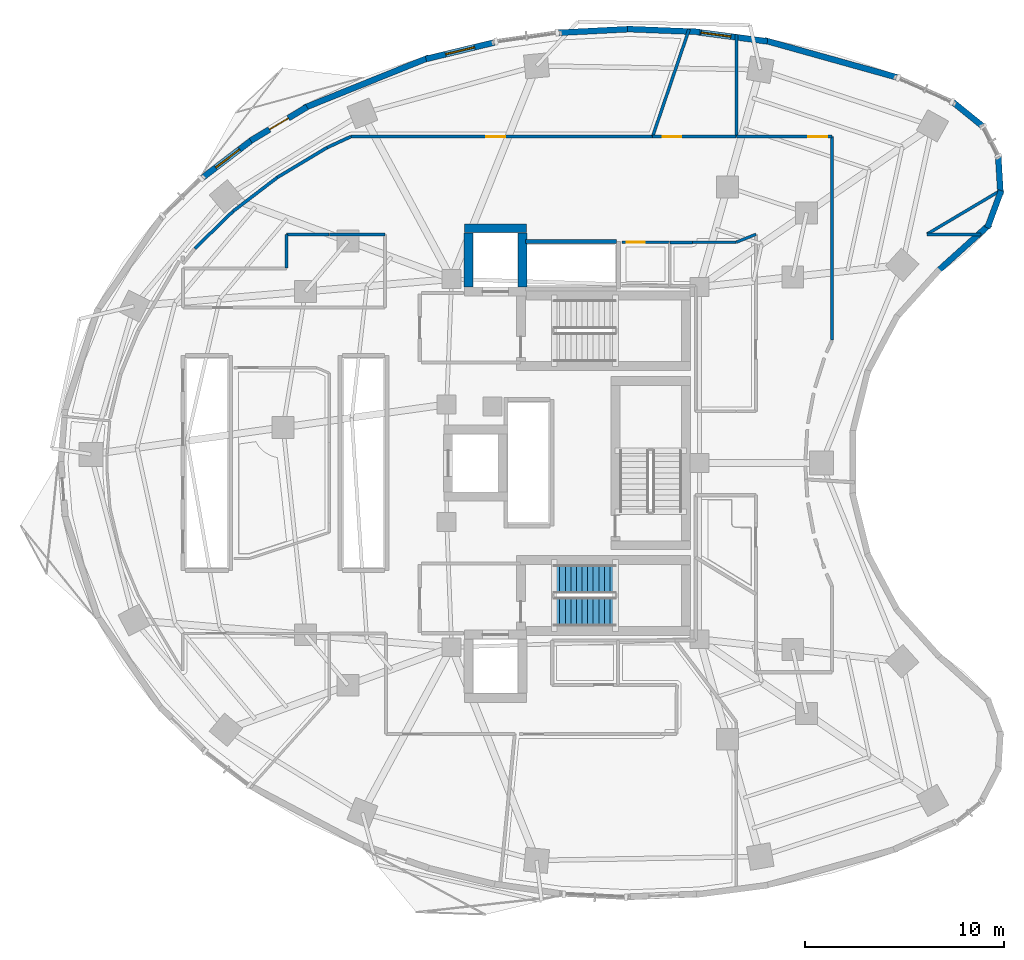
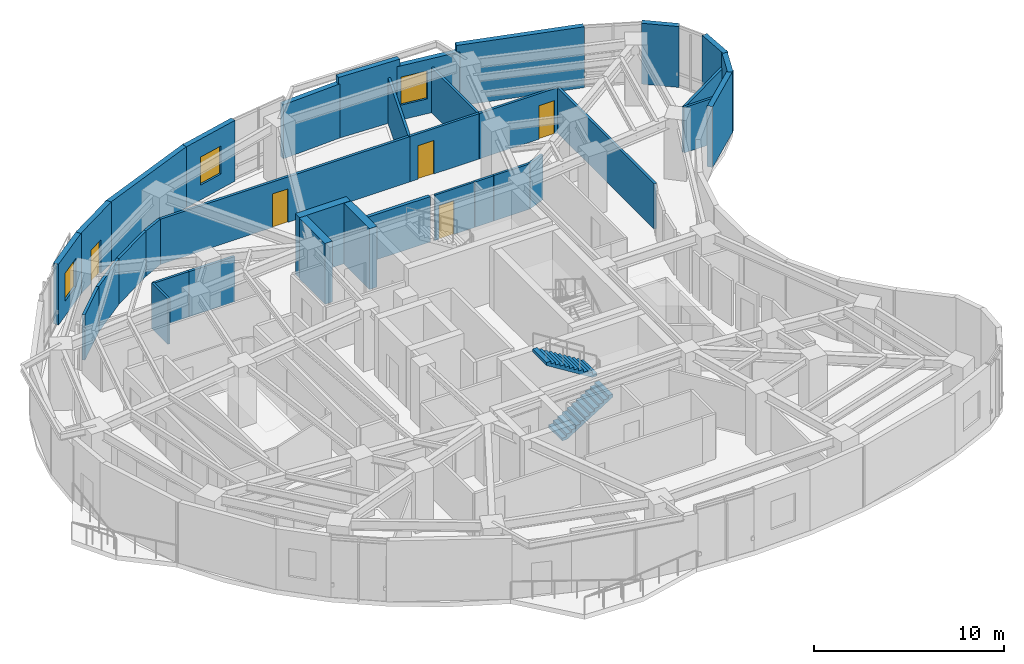
# One storey, part 10 of 14: 35 walls, 5 doors, 3 windows, 2 stair flights, 8 openings, 1 element without a shape of its own.
"""IFC4 building model written with IfcOpenShell, lengths in metres."""

import ifcopenshell
import ifcopenshell.guid

model = None  # the IFC model being written
_history = None  # IfcOwnerHistory: only IFC2X3 demands one
_inside = {}  # id of a spatial element -> (the spatial element, [elements in it])
_under = {}  # id of a project, library or spatial element -> (it, [spatial elements below it])
_declared = {}  # id of a project -> (the project, [libraries it declares])
_typed = {}  # id of a type object -> (the type object, [elements of that type])
_made_of = {}  # id of a material, layer set ... -> (it, [elements and type objects made of it])


def new_model(schema):
    """Start an empty IFC model of exactly this schema.

    Asked for "IFC4X3", IfcOpenShell would pick the latest addendum, in which some entities
    have other attributes; the version numbers below select the first issue.
    IFC2X3 requires an IfcOwnerHistory on every rooted entity: one is made here for all.
    """
    global model, _history
    if schema == "IFC4X3":
        model = ifcopenshell.file(schema_version=(4, 3, 0, 0))
    else:
        model = ifcopenshell.file(schema=schema)
    _inside.clear()
    _under.clear()
    _declared.clear()
    _typed.clear()
    _made_of.clear()
    _history = None
    if model.schema == "IFC2X3":
        org = make("IfcOrganization", Name="unknown")
        user = make(
            "IfcPersonAndOrganization",
            ThePerson=make("IfcPerson", FamilyName="unknown"),
            TheOrganization=org,
        )
        app = make(
            "IfcApplication",
            ApplicationDeveloper=org,
            Version="unknown",
            ApplicationFullName="unknown",
            ApplicationIdentifier="unknown",
        )
        _history = make(
            "IfcOwnerHistory",
            OwningUser=user,
            OwningApplication=app,
            ChangeAction="ADDED",
            CreationDate=0,
        )
    return model


def make(cls, **values):
    """One entity of the class cls with the attributes given. An attribute that is None is left unset."""
    return model.create_entity(
        cls, **{name: value for name, value in values.items() if value is not None}
    )


def rooted(cls, **values):
    """An entity with a GlobalId (a new one), such as an element, a storey or a relation."""
    return make(cls, GlobalId=ifcopenshell.guid.new(), OwnerHistory=_history, **values)


def si_unit(unit_type, name, prefix=None):
    """IfcSIUnit, for example si_unit("LENGTHUNIT", "METRE", prefix="MILLI")."""
    return make("IfcSIUnit", UnitType=unit_type, Prefix=prefix, Name=name)


def assignment(units):
    """IfcUnitAssignment: the units of a project."""
    return None if units is None else make("IfcUnitAssignment", Units=units)


def point(xyz):
    """IfcCartesianPoint."""
    return None if xyz is None else make("IfcCartesianPoint", Coordinates=xyz)


def direction(xyz):
    """IfcDirection."""
    return None if xyz is None else make("IfcDirection", DirectionRatios=xyz)


def frame(location, z_axis=None, x_axis=None):
    """IfcAxis2Placement3D, a coordinate frame: its origin and axes. An axis left out is left unset."""
    return make(
        "IfcAxis2Placement3D",
        Location=point(location),
        Axis=direction(z_axis),
        RefDirection=direction(x_axis),
    )


def frame_2d(location, x_axis=None):
    """IfcAxis2Placement2D, a coordinate frame in the plane: its origin and x axis."""
    return make(
        "IfcAxis2Placement2D", Location=point(location), RefDirection=direction(x_axis)
    )


def origin():
    """The frame at (0, 0, 0) with its axes left unset."""
    return frame((0.0, 0.0, 0.0))


def place(relative_to, where):
    """IfcLocalPlacement: puts the frame where relative to a parent placement (None: the world)."""
    return make(
        "IfcLocalPlacement", PlacementRelTo=relative_to, RelativePlacement=where
    )


def context(
    kind, dimensions, precision=None, world=None, true_north=None, identifier=None
):
    """IfcGeometricRepresentationContext, for example the 3D "Model" context."""
    return make(
        "IfcGeometricRepresentationContext",
        ContextIdentifier=identifier,
        ContextType=kind,
        CoordinateSpaceDimension=dimensions,
        Precision=precision,
        WorldCoordinateSystem=world,
        TrueNorth=true_north,
    )


def subcontext(parent, identifier, kind, view, scale=None):
    """IfcGeometricRepresentationSubContext, for example "Body" below "Model"."""
    return make(
        "IfcGeometricRepresentationSubContext",
        ContextIdentifier=identifier,
        ContextType=kind,
        ParentContext=parent,
        TargetScale=scale,
        TargetView=view,
    )


def project(units=None, contexts=None):
    """IfcProject with its units and contexts."""
    return rooted(
        "IfcProject",
        Name="project",
        RepresentationContexts=contexts,
        UnitsInContext=assignment(units),
    )


def spatial(cls, under=None, at=None, **own):
    """A site, building, storey or space (cls), placed at a placement, below another one or the project."""
    s = rooted(cls, ObjectPlacement=at, **own)
    if under is not None:
        _under.setdefault(under.id(), (under, []))[1].append(s)
    return s


def polyline(points):
    """IfcPolyline through the points."""
    return make("IfcPolyline", Points=[point(p) for p in points])


def profile(cls, at=None, kind="AREA", **sizes):
    """A parametric profile (cls). Its sizes go by their IFC names, for example OverallWidth=200.0."""
    return make(cls, ProfileType=kind, Position=at, **sizes)


def rectangle(**sizes):
    """IfcRectangleProfileDef."""
    return profile("IfcRectangleProfileDef", **sizes)


def outline(outer, holes=None, kind="AREA"):
    """IfcArbitraryClosedProfileDef: a profile drawn as a closed curve; with holes, ...WithVoids."""
    if holes is None:
        return make("IfcArbitraryClosedProfileDef", ProfileType=kind, OuterCurve=outer)
    return make(
        "IfcArbitraryProfileDefWithVoids",
        ProfileType=kind,
        OuterCurve=outer,
        InnerCurves=holes,
    )


def extrude(swept, where, along, depth):
    """IfcExtrudedAreaSolid: the profile swept, set in the frame where, extruded along a direction by depth."""
    return make(
        "IfcExtrudedAreaSolid",
        SweptArea=swept,
        Position=where,
        ExtrudedDirection=direction(along),
        Depth=depth,
    )


def shape(context_of_items, identifier, shape_type, items):
    """IfcShapeRepresentation: the items that make up one representation, for example the "Body"."""
    return make(
        "IfcShapeRepresentation",
        ContextOfItems=context_of_items,
        RepresentationIdentifier=identifier,
        RepresentationType=shape_type,
        Items=items,
    )


def material(Name=None, Category=None):
    """IfcMaterial."""
    return make("IfcMaterial", Name=Name, Category=Category)


def layer(
    of_material, thickness, ventilated=None, Name=None, Category=None, Priority=None
):
    """IfcMaterialLayer: one layer of a wall or slab, of a material (None: an air gap)."""
    return make(
        "IfcMaterialLayer",
        Material=of_material,
        LayerThickness=thickness,
        IsVentilated=ventilated,
        Name=Name,
        Category=Category,
        Priority=Priority,
    )


def layer_set(layers, Name=None):
    """IfcMaterialLayerSet."""
    return make("IfcMaterialLayerSet", MaterialLayers=layers, LayerSetName=Name)


def made_of(thing, what):
    """Note that an element or type object is made of a material, layer set ...; save() writes the relation."""
    if what is not None:
        _made_of.setdefault(what.id(), (what, []))[1].append(thing)
    return thing


def type_object(cls, material=None, **own):
    """A type object (cls), such as IfcWallType, which elements share."""
    return made_of(rooted(cls, **own), material)


def element(
    cls,
    number,
    at=None,
    inside=None,
    cuts=None,
    type_object=None,
    material=None,
    context=None,
    identifier="Body",
    shape_type=None,
    held_by="IfcProductDefinitionShape",
    body=None,
    shapes=None,
    **own,
):
    """One element of the class cls, such as IfcWall. Its Tag is "e" and its number.

    at: its placement. inside: the storey or other place that contains it. cuts: it is an
    opening in that element (IfcRelVoidsElement). A single representation is given by context,
    identifier, shape_type and body (its items); several are given by shapes. held_by: the class
    of the entity that holds the representations. save() writes the other relations.
    """
    e = rooted(cls, Tag="e%d" % number, ObjectPlacement=at, **own)
    if body is not None:
        shapes = [shape(context, identifier, shape_type, body)]
    if shapes is not None:
        e.Representation = make(held_by, Representations=shapes)
    if inside is not None:
        _inside.setdefault(inside.id(), (inside, []))[1].append(e)
    if cuts is not None:
        rooted(
            "IfcRelVoidsElement", RelatingBuildingElement=cuts, RelatedOpeningElement=e
        )
    if type_object is not None:
        _typed.setdefault(type_object.id(), (type_object, []))[1].append(e)
    return made_of(e, material)


def fill(opening, filler):
    """IfcRelFillsElement: the door or window that sits in an opening."""
    return rooted(
        "IfcRelFillsElement",
        RelatingOpeningElement=opening,
        RelatedBuildingElement=filler,
    )


def aggregate(whole, parts):
    """IfcRelAggregates: a whole, such as a stair, and the parts it consists of."""
    return rooted("IfcRelAggregates", RelatingObject=whole, RelatedObjects=parts)


def save(model, path):
    """Write the relations noted so far, then the file.

    IfcRelAggregates (storeys below a building ...), IfcRelContainedInSpatialStructure (elements
    in a storey), IfcRelDefinesByType, IfcRelAssociatesMaterial and IfcRelDeclares: one each for
    every whole, place, type object, material and project.
    """
    for whole, parts in _under.values():
        aggregate(whole, parts)
    for where, things in _inside.values():
        rooted(
            "IfcRelContainedInSpatialStructure",
            RelatedElements=things,
            RelatingStructure=where,
        )
    for kind, things in _typed.values():
        rooted("IfcRelDefinesByType", RelatedObjects=things, RelatingType=kind)
    for what, things in _made_of.values():
        rooted("IfcRelAssociatesMaterial", RelatedObjects=things, RelatingMaterial=what)
    for by, libraries in _declared.values():
        rooted("IfcRelDeclares", RelatingContext=by, RelatedDefinitions=libraries)
    model.write(path)


model = new_model("IFC4")

# Units and contexts
model_context = context("Model", 3, precision=1e-05, world=origin(), true_north=direction((0.0, 1.0)))
body_context = subcontext(model_context, "Body", "Model", "MODEL_VIEW")
ifc_project = project(units=[si_unit("LENGTHUNIT", "METRE"), si_unit("AREAUNIT", "SQUARE_METRE"), si_unit("VOLUMEUNIT", "CUBIC_METRE"), si_unit("PLANEANGLEUNIT", "RADIAN"), si_unit("MASSUNIT", "GRAM", prefix="KILO")], contexts=[model_context])

# Site, building, storey
site_placement = place(None, origin())
site = spatial("IfcSite", under=ifc_project, at=site_placement, CompositionType="ELEMENT")
building_placement = place(site_placement, origin())
building = spatial("IfcBuilding", under=site, at=building_placement, Name="Korentha Bioscience Tower", CompositionType="ELEMENT")
storey_placement = place(building_placement, frame((0.0, 0.0, 90.0)))
storey = spatial("IfcBuildingStorey", under=building, at=storey_placement, Name="L20", CompositionType="ELEMENT", Elevation=90.0)

# Wall, opening, door
ifc_material_1 = material(Name="Double-Stud Acoustic Gypsum", Category="gypsum")
ifc_layer_1 = layer(ifc_material_1, 0.14990234375, Name="Double-Stud Acoustic Gypsum")
ifc_layer_set_1 = layer_set([ifc_layer_1], Name="Double-Stud Acoustic Gypsum (IW-L150)")
wall_type_1 = type_object("IfcWallType", Name="Acoustic Laboratory Partition Wall 150", PredefinedType="PARTITIONING", material=ifc_layer_set_1)
wall_1_placement = place(storey_placement, frame((44.199951171875, 43.409912109375, 0.0), z_axis=(0.0, 0.0, 1.0), x_axis=(-1.0, 0.0, 0.0)))
wall_1 = element("IfcWall", 1, at=wall_1_placement, inside=storey, type_object=wall_type_1, Name="L20 Immunology Flow-Cytometry Laboratory 06 Entrance Wall", PredefinedType="PARTITIONING", context=body_context, shape_type="SweptSolid", body=[
    extrude(rectangle(XDim=4.7978515625, YDim=0.14990234375, at=frame_2d((2.39892578125, 0.0))), origin(), (0.0, 0.0, 1.0), 2.909912109375),
])
opening_1_placement = place(wall_1_placement, frame((0.239990234375, 0.0, 0.0)))
opening_1 = element("IfcOpeningElement", 2, at=opening_1_placement, cuts=wall_1, Name="Opening ID-10R", PredefinedType="OPENING", context=body_context, shape_type="SweptSolid", body=[
    extrude(rectangle(XDim=0.949951171875, YDim=2.14990234375, at=frame_2d((0.47509765625, 1.074951171875))), frame((0.0, 0.08984375, 0.0), z_axis=(0.0, -1.0, 0.0), x_axis=(1.0, 0.0, 0.0)), (0.0, 0.0, 1.0), 0.1796875),
])
ifc_material_2 = material(Name="Phenolic Laminate Timber Core", Category="wood")
door_type_1 = type_object("IfcDoorType", Name="Laboratory Single Leaf Door 950x2150 Right", OperationType="SINGLE_SWING_RIGHT", PredefinedType="DOOR", material=ifc_material_2)
door_1_placement = place(opening_1_placement, origin())
door_1 = element("IfcDoor", 3, at=door_1_placement, inside=storey, type_object=door_type_1, Name="L20 Immunology Flow-Cytometry Laboratory 06 Door", OperationType="SINGLE_SWING_RIGHT", OverallHeight=2.14990234375, OverallWidth=0.949951171875, PredefinedType="DOOR", context=body_context, shape_type="SweptSolid", body=[
    extrude(rectangle(XDim=0.949951171875, YDim=2.14990234375, at=frame_2d((0.47509765625, 1.074951171875))), frame((0.0, 0.02490234375, 0.0), z_axis=(0.0, -1.0, 0.0), x_axis=(1.0, 0.0, 0.0)), (0.0, 0.0, 1.0), 0.050048828125),
])
fill(opening_1, door_1)

wall_2_placement = place(storey_placement, frame((39.39208984375, 43.409912109375, 0.0), z_axis=(0.0, 0.0, 1.0), x_axis=(-1.0, 0.0, 0.0)))
wall_2 = element("IfcWall", 4, at=wall_2_placement, inside=storey, type_object=wall_type_1, Name="L20 Lyophilization Freeze-Drying Room 08 Entrance Wall", PredefinedType="PARTITIONING", context=body_context, shape_type="SweptSolid", body=[
    extrude(rectangle(XDim=4.19580078125, YDim=0.14990234375, at=frame_2d((2.097900390625, 0.0))), origin(), (0.0, 0.0, 1.0), 2.909912109375),
])
opening_2_placement = place(wall_2_placement, frame((2.747802734375, 0.0, 0.0)))
opening_2 = element("IfcOpeningElement", 5, at=opening_2_placement, cuts=wall_2, Name="Opening ID-10R", PredefinedType="OPENING", context=body_context, shape_type="SweptSolid", body=[
    extrude(rectangle(XDim=0.949951171875, YDim=2.14990234375, at=frame_2d((0.47509765625, 1.074951171875))), frame((0.0, 0.08984375, 0.0), z_axis=(0.0, -1.0, 0.0), x_axis=(1.0, 0.0, 0.0)), (0.0, 0.0, 1.0), 0.1796875),
])
door_2_placement = place(opening_2_placement, origin())
door_2 = element("IfcDoor", 6, at=door_2_placement, inside=storey, type_object=door_type_1, Name="L20 Lyophilization Freeze-Drying Room 08 Door", OperationType="SINGLE_SWING_RIGHT", OverallHeight=2.14990234375, OverallWidth=0.949951171875, PredefinedType="DOOR", context=body_context, shape_type="SweptSolid", body=[
    extrude(rectangle(XDim=0.949951171875, YDim=2.14990234375, at=frame_2d((0.47509765625, 1.074951171875))), frame((0.0, 0.02490234375, 0.0), z_axis=(0.0, -1.0, 0.0), x_axis=(1.0, 0.0, 0.0)), (0.0, 0.0, 1.0), 0.050048828125),
])
fill(opening_2, door_2)

# Walls
wall_3_placement = place(storey_placement, frame((52.748779296875, 40.74267578125, 0.0), z_axis=(0.0, 0.0, 1.0), x_axis=(-0.85982416837, -0.510590246173, 0.0)))
element("IfcWall", 7, at=wall_3_placement, inside=storey, type_object=wall_type_1, Name="L20 Interior Partition 054", PredefinedType="PARTITIONING", context=body_context, shape_type="SweptSolid", body=[
    extrude(rectangle(XDim=4.3818359375, YDim=0.14990234375, at=frame_2d((2.19091796875, 0.0))), origin(), (0.0, 0.0, 1.0), 2.909912109375),
])
wall_4_placement = place(storey_placement, frame((48.983154296875, 38.498046875, 0.0), z_axis=(0.0, 0.0, 1.0), x_axis=(1.0, 0.0, 0.0)))
element("IfcWall", 8, at=wall_4_placement, inside=storey, type_object=wall_type_1, Name="L20 Interior Partition 055", PredefinedType="PARTITIONING", context=body_context, shape_type="SweptSolid", body=[
    extrude(rectangle(XDim=2.718505859375, YDim=0.14990234375, at=frame_2d((1.359375, 0.0))), origin(), (0.0, 0.0, 1.0), 2.909912109375),
])
wall_5_placement = place(storey_placement, frame((44.2099609375, 33.175048828125, 0.0), z_axis=(0.0, 0.0, 1.0), x_axis=(0.0, 1.0, 0.0)))
element("IfcWall", 9, at=wall_5_placement, inside=storey, type_object=wall_type_1, Name="L20 Interior Partition 061", PredefinedType="PARTITIONING", context=body_context, shape_type="SweptSolid", body=[
    extrude(rectangle(XDim=10.224853515625, YDim=0.14990234375, at=frame_2d((5.1123046875, 0.0))), origin(), (0.0, 0.0, 1.0), 2.909912109375),
])
wall_6_placement = place(storey_placement, frame((39.402099609375, 43.409912109375, 0.0), z_axis=(0.0, 0.0, 1.0), x_axis=(0.0, 1.0, 0.0)))
element("IfcWall", 10, at=wall_6_placement, inside=storey, type_object=wall_type_1, Name="L20 Interior Partition 062", PredefinedType="PARTITIONING", context=body_context, shape_type="SweptSolid", body=[
    extrude(rectangle(XDim=5.12548828125, YDim=0.14990234375, at=frame_2d((2.562744140625, 0.0))), origin(), (0.0, 0.0, 1.0), 2.909912109375),
])
wall_7_placement = place(storey_placement, frame((35.1962890625, 43.409912109375, 0.0), z_axis=(0.0, 0.0, 1.0), x_axis=(0.322244983046, 0.946656310866, 0.0)))
element("IfcWall", 11, at=wall_7_placement, inside=storey, type_object=wall_type_1, Name="L20 Interior Partition 071", PredefinedType="PARTITIONING", context=body_context, shape_type="SweptSolid", body=[
    extrude(rectangle(XDim=5.6904296875, YDim=0.14990234375, at=frame_2d((2.84521484375, 0.0))), origin(), (0.0, 0.0, 1.0), 2.909912109375),
])
wall_8_placement = place(storey_placement, frame((18.9521484375, 38.498046875, 0.0), z_axis=(0.0, 0.0, 1.0), x_axis=(1.0, 0.0, 0.0)))
element("IfcWall", 12, at=wall_8_placement, inside=storey, type_object=wall_type_1, Name="L20 Interior Partition 081", PredefinedType="PARTITIONING", context=body_context, shape_type="SweptSolid", body=[
    extrude(rectangle(XDim=2.787841796875, YDim=0.14990234375, at=frame_2d((1.39404296875, 0.0))), origin(), (0.0, 0.0, 1.0), 2.909912109375),
])
wall_9_placement = place(storey_placement, frame((16.81005859375, 36.800048828125, 0.0), z_axis=(0.0, 0.0, 1.0), x_axis=(0.0, 1.0, 0.0)))
element("IfcWall", 13, at=wall_9_placement, inside=storey, type_object=wall_type_1, Name="L20 Interior Partition 085", PredefinedType="PARTITIONING", context=body_context, shape_type="SweptSolid", body=[
    extrude(rectangle(XDim=1.697998046875, YDim=0.14990234375, at=frame_2d((0.84912109375, 0.0))), origin(), (0.0, 0.0, 1.0), 2.909912109375),
])
wall_10_placement = place(storey_placement, frame((16.81005859375, 38.498046875, 0.0), z_axis=(0.0, 0.0, 1.0), x_axis=(1.0, 0.0, 0.0)))
element("IfcWall", 14, at=wall_10_placement, inside=storey, type_object=wall_type_1, Name="L20 Interior Partition 086", PredefinedType="PARTITIONING", context=body_context, shape_type="SweptSolid", body=[
    extrude(rectangle(XDim=2.137939453125, YDim=0.14990234375, at=frame_2d((1.06884765625, 0.0))), origin(), (0.0, 0.0, 1.0), 2.909912109375),
])
ifc_material_3 = material(Name="Insulated Aluminium Honeycomb Panel", Category="aluminium")
ifc_layer_2 = layer(ifc_material_3, 0.139892578125, Name="Insulated Aluminium Honeycomb Panel")
ifc_layer_set_2 = layer_set([ifc_layer_2], Name="Insulated Aluminium Honeycomb Panel (IW-F60)")
wall_type_2 = type_object("IfcWallType", Name="Cleanroom Flush Metal Panel Partition 140", PredefinedType="PARTITIONING", material=ifc_layer_set_2)
wall_11_placement = place(storey_placement, frame((39.39794921875, 38.10009765625, 0.0), z_axis=(0.0, 0.0, 1.0), x_axis=(0.928098124006, 0.372335698284, 0.0)))
element("IfcWall", 15, at=wall_11_placement, inside=storey, type_object=wall_type_2, Name="L20 Interior Partition 063", PredefinedType="PARTITIONING", context=body_context, shape_type="SweptSolid", body=[
    extrude(rectangle(XDim=1.06884765625, YDim=0.139892578125, at=frame_2d((0.534423828125, 0.0))), origin(), (0.0, 0.0, 1.0), 2.909912109375),
])
wall_12_placement = place(storey_placement, frame((36.06005859375, 38.090087890625, 0.0), z_axis=(0.0, 0.0, 1.0), x_axis=(1.0, 0.0, 0.0)))
element("IfcWall", 16, at=wall_12_placement, inside=storey, type_object=wall_type_2, Name="L20 Interior Partition 068", PredefinedType="PARTITIONING", context=body_context, shape_type="SweptSolid", body=[
    extrude(rectangle(XDim=1.139892578125, YDim=0.139892578125, at=frame_2d((0.56982421875, 0.0))), origin(), (0.0, 0.0, 1.0), 2.909912109375),
])
wall_13_placement = place(storey_placement, frame((37.2099609375, 38.10009765625, 0.0), z_axis=(0.0, 0.0, 1.0), x_axis=(1.0, 0.0, 0.0)))
element("IfcWall", 17, at=wall_13_placement, inside=storey, type_object=wall_type_2, Name="L20 Interior Partition 070", PredefinedType="PARTITIONING", context=body_context, shape_type="SweptSolid", body=[
    extrude(rectangle(XDim=2.18798828125, YDim=0.139892578125, at=frame_2d((1.093994140625, 0.0))), origin(), (0.0, 0.0, 1.0), 2.909912109375),
])

# Wall, opening, door
ifc_material_4 = material(Name="Gypsum-Clad Steel Stud", Category="steel")
ifc_layer_3 = layer(ifc_material_4, 0.159912109375, Name="Gypsum-Clad Steel Stud")
ifc_layer_set_3 = layer_set([ifc_layer_3], Name="Gypsum-Clad Steel Stud (IW-C160)")
wall_type_3 = type_object("IfcWallType", Name="Fire-Rated Corridor Partition Wall 160", PredefinedType="PARTITIONING", material=ifc_layer_set_3)
wall_14_placement = place(storey_placement, frame((35.186279296875, 43.409912109375, 0.0), z_axis=(0.0, 0.0, 1.0), x_axis=(-1.0, 0.0, 0.0)))
wall_14 = element("IfcWall", 18, at=wall_14_placement, inside=storey, type_object=wall_type_3, Name="L20 Cold-Chain Stability Chamber 09 Entrance Wall", PredefinedType="PARTITIONING", context=body_context, shape_type="SweptSolid", body=[
    extrude(rectangle(XDim=15.143798828125, YDim=0.159912109375, at=frame_2d((7.57177734375, 0.0))), origin(), (0.0, 0.0, 1.0), 2.909912109375),
])
opening_3_placement = place(wall_14_placement, frame((7.38671875, 0.0, 0.0)))
opening_3 = element("IfcOpeningElement", 19, at=opening_3_placement, cuts=wall_14, Name="Opening ID-10L", PredefinedType="OPENING", context=body_context, shape_type="SweptSolid", body=[
    extrude(rectangle(XDim=0.949951171875, YDim=2.14990234375, at=frame_2d((0.47509765625, 1.074951171875))), frame((0.0, 0.0947265625, 0.0), z_axis=(0.0, -1.0, 0.0), x_axis=(1.0, 0.0, 0.0)), (0.0, 0.0, 1.0), 0.189697265625),
])
door_type_2 = type_object("IfcDoorType", Name="Laboratory Single Leaf Door 950x2150 Left", OperationType="SINGLE_SWING_LEFT", PredefinedType="DOOR", material=ifc_material_2)
door_3_placement = place(opening_3_placement, origin())
door_3 = element("IfcDoor", 20, at=door_3_placement, inside=storey, type_object=door_type_2, Name="L20 Cold-Chain Stability Chamber 09 Door", OperationType="SINGLE_SWING_LEFT", OverallHeight=2.14990234375, OverallWidth=0.949951171875, PredefinedType="DOOR", context=body_context, shape_type="SweptSolid", body=[
    extrude(rectangle(XDim=0.949951171875, YDim=2.14990234375, at=frame_2d((0.47509765625, 1.074951171875))), frame((0.0, 0.02490234375, 0.0), z_axis=(0.0, -1.0, 0.0), x_axis=(1.0, 0.0, 0.0)), (0.0, 0.0, 1.0), 0.050048828125),
])
fill(opening_3, door_3)

# Walls
wall_15_placement = place(storey_placement, frame((20.038330078125, 43.4091796875, 0.0), z_axis=(0.0, 0.0, 1.0), x_axis=(-0.907124862852, -0.420861596248, 0.0)))
element("IfcWall", 21, at=wall_15_placement, inside=storey, type_object=wall_type_3, Name="L20 Interior Partition 072", PredefinedType="PARTITIONING", context=body_context, shape_type="SweptSolid", body=[
    extrude(rectangle(XDim=1.321533203125, YDim=0.159912109375, at=frame_2d((0.66064453125, 0.0))), origin(), (0.0, 0.0, 1.0), 2.909912109375),
])
wall_16_placement = place(storey_placement, frame((18.838623046875, 42.8525390625, 0.0), z_axis=(0.0, 0.0, 1.0), x_axis=(-0.857603806023, -0.514310909757, 0.0)))
element("IfcWall", 22, at=wall_16_placement, inside=storey, type_object=wall_type_3, Name="L20 Interior Partition 073", PredefinedType="PARTITIONING", context=body_context, shape_type="SweptSolid", body=[
    extrude(rectangle(XDim=2.91357421875, YDim=0.159912109375, at=frame_2d((1.456787109375, 0.0))), origin(), (0.0, 0.0, 1.0), 2.909912109375),
])
wall_17_placement = place(storey_placement, frame((16.3388671875, 41.353515625, 0.0), z_axis=(0.0, 0.0, 1.0), x_axis=(-0.794513779695, -0.607246122981, 0.0)))
element("IfcWall", 23, at=wall_17_placement, inside=storey, type_object=wall_type_3, Name="L20 Interior Partition 074", PredefinedType="PARTITIONING", context=body_context, shape_type="SweptSolid", body=[
    extrude(rectangle(XDim=2.799072265625, YDim=0.159912109375, at=frame_2d((1.3994140625, 0.0))), origin(), (0.0, 0.0, 1.0), 2.909912109375),
])
wall_18_placement = place(storey_placement, frame((14.1142578125, 39.65283203125, 0.0), z_axis=(0.0, 0.0, 1.0), x_axis=(-0.716161838398, -0.697934252794, 0.0)))
element("IfcWall", 24, at=wall_18_placement, inside=storey, type_object=wall_type_3, Name="L20 Interior Partition 075", PredefinedType="PARTITIONING", context=body_context, shape_type="SweptSolid", body=[
    extrude(rectangle(XDim=2.6787109375, YDim=0.159912109375, at=frame_2d((1.33935546875, 0.0))), origin(), (0.0, 0.0, 1.0), 2.909912109375),
])

# Wall, opening, window
ifc_material_5 = material(Name="Honed Limestone Precast Concrete C40", Category="masonry")
ifc_layer_4 = layer(ifc_material_5, 0.300048828125, Name="Honed Limestone Precast Concrete C40")
ifc_layer_set_4 = layer_set([ifc_layer_4], Name="Honed Limestone Precast Concrete C40 (EW-ST300)")
wall_type_4 = type_object("IfcWallType", Name="Honed Limestone Cavity Spandrel Wall 300", PredefinedType="STANDARD", material=ifc_layer_set_4)
wall_19_placement = place(storey_placement, frame((40.964111328125, 48.18994140625, 0.0), z_axis=(0.0, 0.0, 1.0), x_axis=(-0.991369257822, 0.131099178664, 0.0)))
wall_19 = element("IfcWall", 25, at=wall_19_placement, inside=storey, type_object=wall_type_4, Name="L20 Honed Limestone Spandrel Wall 04", PredefinedType="STANDARD", context=body_context, shape_type="SweptSolid", body=[
    extrude(rectangle(XDim=3.575439453125, YDim=0.300048828125, at=frame_2d((1.78759765625, 0.0))), origin(), (0.0, 0.0, 1.0), 3.469970703125),
])
opening_4_placement = place(wall_19_placement, frame((1.84814453125, 0.0, 0.949951171875)))
opening_4 = element("IfcOpeningElement", 26, at=opening_4_placement, cuts=wall_19, Name="Opening WN-02", PredefinedType="OPENING", context=body_context, shape_type="SweptSolid", body=[
    extrude(rectangle(XDim=1.5, YDim=1.800048828125, at=frame_2d((0.75, 0.89990234375))), frame((0.0, 0.1650390625, 0.0), z_axis=(0.0, -1.0, 0.0), x_axis=(1.0, 0.0, 0.0)), (0.0, 0.0, 1.0), 0.329833984375),
])
ifc_material_6 = material(Name="Thermally Broken Aluminium Triple Glazing", Category="aluminium")
window_type = type_object("IfcWindowType", Name="Acoustic Operable Office Window 1500x1800", PartitioningType="DOUBLE_PANEL_VERTICAL", PredefinedType="WINDOW", material=ifc_material_6)
window_1_placement = place(opening_4_placement, origin())
window_1 = element("IfcWindow", 27, at=window_1_placement, inside=storey, type_object=window_type, Name="L20 Facade Window 04", OverallHeight=1.800048828125, OverallWidth=1.5, PartitioningType="DOUBLE_PANEL_VERTICAL", PredefinedType="WINDOW", context=body_context, shape_type="SweptSolid", body=[
    extrude(rectangle(XDim=1.5, YDim=1.800048828125, at=frame_2d((0.75, 0.89990234375))), frame((0.0, 0.030029296875, 0.0), z_axis=(0.0, -1.0, 0.0), x_axis=(1.0, 0.0, 0.0)), (0.0, 0.0, 1.0), 0.06005859375),
])
fill(opening_4, window_1)

wall_20_placement = place(storey_placement, frame((27.23828125, 48.1337890625, 0.0), z_axis=(0.0, 0.0, 1.0), x_axis=(-0.972049000874, -0.234778065203, 0.0)))
wall_20 = element("IfcWall", 28, at=wall_20_placement, inside=storey, type_object=wall_type_4, Name="L20 Honed Limestone Spandrel Wall 08", PredefinedType="STANDARD", context=body_context, shape_type="SweptSolid", body=[
    extrude(rectangle(XDim=3.5283203125, YDim=0.300048828125, at=frame_2d((1.76416015625, 0.0))), origin(), (0.0, 0.0, 1.0), 3.89990234375),
])
opening_5_placement = place(wall_20_placement, frame((1.014404296875, 0.0, 0.949951171875)))
opening_5 = element("IfcOpeningElement", 29, at=opening_5_placement, cuts=wall_20, Name="Opening WN-02", PredefinedType="OPENING", context=body_context, shape_type="SweptSolid", body=[
    extrude(rectangle(XDim=1.5, YDim=1.800048828125, at=frame_2d((0.75, 0.89990234375))), frame((0.0, 0.1650390625, 0.0), z_axis=(0.0, -1.0, 0.0), x_axis=(1.0, 0.0, 0.0)), (0.0, 0.0, 1.0), 0.329833984375),
])
window_2_placement = place(opening_5_placement, origin())
window_2 = element("IfcWindow", 30, at=window_2_placement, inside=storey, type_object=window_type, Name="L20 Facade Window 08", OverallHeight=1.800048828125, OverallWidth=1.5, PartitioningType="DOUBLE_PANEL_VERTICAL", PredefinedType="WINDOW", context=body_context, shape_type="SweptSolid", body=[
    extrude(rectangle(XDim=1.5, YDim=1.800048828125, at=frame_2d((0.75, 0.89990234375))), frame((0.0, 0.030029296875, 0.0), z_axis=(0.0, -1.0, 0.0), x_axis=(1.0, 0.0, 0.0)), (0.0, 0.0, 1.0), 0.06005859375),
])
fill(opening_5, window_2)

# Wall, opening, door
wall_21_placement = place(storey_placement, frame((17.83349609375, 44.896728515625, 0.0), z_axis=(0.0, 0.0, 1.0), x_axis=(-0.85758429223, -0.514343447242, 0.0)))
wall_21 = element("IfcWall", 31, at=wall_21_placement, inside=storey, type_object=wall_type_4, Name="L20 Balcony Threshold Wall 01", PredefinedType="STANDARD", context=body_context, shape_type="SweptSolid", body=[
    extrude(rectangle(XDim=3.30029296875, YDim=0.300048828125, at=frame_2d((1.650146484375, 0.0))), origin(), (0.0, 0.0, 1.0), 3.89990234375),
])
opening_6_placement = place(wall_21_placement, frame((1.10009765625, 0.0, 0.0)))
opening_6 = element("IfcOpeningElement", 32, at=opening_6_placement, cuts=wall_21, Name="Opening BD-11L", PredefinedType="OPENING", context=body_context, shape_type="SweptSolid", body=[
    extrude(rectangle(XDim=1.10009765625, YDim=2.14990234375, at=frame_2d((0.550048828125, 1.074951171875))), frame((0.0, 0.1650390625, 0.0), z_axis=(0.0, -1.0, 0.0), x_axis=(1.0, 0.0, 0.0)), (0.0, 0.0, 1.0), 0.329833984375),
])
ifc_material_7 = material(Name="Thermally Broken Glazed Aluminium", Category="aluminium")
door_type_3 = type_object("IfcDoorType", Name="Balcony Terrace Glazed Door 1100x2150 Left", OperationType="SINGLE_SWING_LEFT", PredefinedType="DOOR", material=ifc_material_7)
door_4_placement = place(opening_6_placement, origin())
door_4 = element("IfcDoor", 33, at=door_4_placement, inside=storey, type_object=door_type_3, Name="L20 Balcony Access Door 01", OperationType="SINGLE_SWING_LEFT", OverallHeight=2.14990234375, OverallWidth=1.10009765625, PredefinedType="DOOR", context=body_context, shape_type="SweptSolid", body=[
    extrude(rectangle(XDim=1.10009765625, YDim=2.14990234375, at=frame_2d((0.550048828125, 1.074951171875))), frame((0.0, 0.02490234375, 0.0), z_axis=(0.0, -1.0, 0.0), x_axis=(1.0, 0.0, 0.0)), (0.0, 0.0, 1.0), 0.050048828125),
])
fill(opening_6, door_4)

# Wall, opening, window
wall_22_placement = place(storey_placement, frame((15.1171875, 43.276611328125, 0.0), z_axis=(0.0, 0.0, 1.0), x_axis=(-0.794524406211, -0.607232219119, 0.0)))
wall_22 = element("IfcWall", 34, at=wall_22_placement, inside=storey, type_object=wall_type_4, Name="L20 Honed Limestone Spandrel Wall 12", PredefinedType="STANDARD", context=body_context, shape_type="SweptSolid", body=[
    extrude(rectangle(XDim=3.202880859375, YDim=0.300048828125, at=frame_2d((1.6015625, 0.0))), origin(), (0.0, 0.0, 1.0), 3.89990234375),
])
opening_7_placement = place(wall_22_placement, frame((0.851318359375, 0.0, 0.949951171875)))
opening_7 = element("IfcOpeningElement", 35, at=opening_7_placement, cuts=wall_22, Name="Opening WN-02", PredefinedType="OPENING", context=body_context, shape_type="SweptSolid", body=[
    extrude(rectangle(XDim=1.5, YDim=1.800048828125, at=frame_2d((0.75, 0.89990234375))), frame((0.0, 0.1650390625, 0.0), z_axis=(0.0, -1.0, 0.0), x_axis=(1.0, 0.0, 0.0)), (0.0, 0.0, 1.0), 0.329833984375),
])
window_3_placement = place(opening_7_placement, origin())
window_3 = element("IfcWindow", 36, at=window_3_placement, inside=storey, type_object=window_type, Name="L20 Facade Window 12", OverallHeight=1.800048828125, OverallWidth=1.5, PartitioningType="DOUBLE_PANEL_VERTICAL", PredefinedType="WINDOW", context=body_context, shape_type="SweptSolid", body=[
    extrude(rectangle(XDim=1.5, YDim=1.800048828125, at=frame_2d((0.75, 0.89990234375))), frame((0.0, 0.030029296875, 0.0), z_axis=(0.0, -1.0, 0.0), x_axis=(1.0, 0.0, 0.0)), (0.0, 0.0, 1.0), 0.06005859375),
])
fill(opening_7, window_3)

# Walls
wall_23_placement = place(storey_placement, frame((47.47900390625, 46.380126953125, 0.0), z_axis=(0.0, 0.0, 1.0), x_axis=(-0.963116215402, 0.269085777459, 0.0)))
element("IfcWall", 37, at=wall_23_placement, inside=storey, type_object=wall_type_4, Name="L20 Limestone Perimeter Closure Wall 02", PredefinedType="STANDARD", context=body_context, shape_type="SweptSolid", body=[
    extrude(rectangle(XDim=6.923583984375, YDim=0.300048828125, at=frame_2d((3.4619140625, 0.0))), origin(), (0.0, 0.0, 1.0), 3.89990234375),
])
wall_24_placement = place(storey_placement, frame((37.574462890625, 48.666259765625, 0.0), z_axis=(0.0, 0.0, 1.0), x_axis=(-0.999212076676, 0.039689114679, 0.0)))
element("IfcWall", 38, at=wall_24_placement, inside=storey, type_object=wall_type_4, Name="L20 Limestone Perimeter Closure Wall 05", PredefinedType="STANDARD", context=body_context, shape_type="SweptSolid", body=[
    extrude(rectangle(XDim=3.635498046875, YDim=0.300048828125, at=frame_2d((1.81787109375, 0.0))), origin(), (0.0, 0.0, 1.0), 3.89990234375),
])
wall_25_placement = place(storey_placement, frame((34.114501953125, 48.8115234375, 0.0), z_axis=(0.0, 0.0, 1.0), x_axis=(-0.998674767218, -0.051465613004, 0.0)))
element("IfcWall", 39, at=wall_25_placement, inside=storey, type_object=wall_type_4, Name="L20 Limestone Perimeter Closure Wall 06", PredefinedType="STANDARD", context=body_context, shape_type="SweptSolid", body=[
    extrude(rectangle(XDim=3.6337890625, YDim=0.300048828125, at=frame_2d((1.81689453125, 0.0))), origin(), (0.0, 0.0, 1.0), 3.469970703125),
])
wall_26_placement = place(storey_placement, frame((23.955810546875, 47.375, 0.0), z_axis=(0.0, 0.0, 1.0), x_axis=(-0.927423312416, -0.374013368194, 0.0)))
element("IfcWall", 40, at=wall_26_placement, inside=storey, type_object=wall_type_4, Name="L20 Limestone Perimeter Closure Wall 09", PredefinedType="STANDARD", context=body_context, shape_type="SweptSolid", body=[
    extrude(rectangle(XDim=6.76904296875, YDim=0.300048828125, at=frame_2d((3.384521484375, 0.0))), origin(), (0.0, 0.0, 1.0), 3.89990234375),
])
wall_27_placement = place(storey_placement, frame((49.51318359375, 36.6357421875, 0.0), z_axis=(0.0, 0.0, 1.0), x_axis=(0.74255963233, 0.669779958221, 0.0)))
element("IfcWall", 41, at=wall_27_placement, inside=storey, type_object=wall_type_4, Name="L20 Limestone Perimeter Closure Wall 57", PredefinedType="STANDARD", context=body_context, shape_type="SweptSolid", body=[
    extrude(rectangle(XDim=3.5390625, YDim=0.300048828125, at=frame_2d((1.76953125, 0.0))), origin(), (0.0, 0.0, 1.0), 3.89990234375),
])
wall_28_placement = place(storey_placement, frame((52.016357421875, 38.822265625, 0.0), z_axis=(0.0, 0.0, 1.0), x_axis=(0.347370087337, 0.937728117539, 0.0)))
element("IfcWall", 42, at=wall_28_placement, inside=storey, type_object=wall_type_4, Name="L20 Limestone Perimeter Closure Wall 59", PredefinedType="STANDARD", context=body_context, shape_type="SweptSolid", body=[
    extrude(rectangle(XDim=1.997314453125, YDim=0.300048828125, at=frame_2d((0.99853515625, 0.0))), origin(), (0.0, 0.0, 1.0), 3.89990234375),
])
for number, where, z_axis, x_axis, name in (
    (43, (52.678955078125, 40.4833984375, 0.0), (0.0, 0.0, 1.0), (-0.060255200356, 0.998183004679, 0.0), "L20 Limestone Perimeter Closure Wall 60"),
    (44, (51.83642578125, 43.880615234375, 0.0), (0.0, 0.0, 1.0), (-0.777338789647, 0.629082193445, 0.0), "L20 Limestone Perimeter Closure Wall 62"),
):
    element("IfcWall", number, at=place(storey_placement, frame(where, z_axis=z_axis, x_axis=x_axis)), inside=storey, type_object=wall_type_4, Name=name, PredefinedType="STANDARD", context=body_context, shape_type="SweptSolid", body=[
        extrude(rectangle(XDim=1.99755859375, YDim=0.300048828125, at=frame_2d((0.998779296875, 0.0))), origin(), (0.0, 0.0, 1.0), 3.89990234375),
    ])
ifc_material_8 = material(Name="Autoclaved Aerated Concrete Block C25", Category="concrete")
ifc_layer_5 = layer(ifc_material_8, 0.199951171875, Name="Autoclaved Aerated Concrete Block C25")
ifc_layer_set_5 = layer_set([ifc_layer_5], Name="Autoclaved Aerated Concrete Block C25 (IW-S200)")
wall_type_5 = type_object("IfcWallType", Name="Lift and Riser Shaft Enclosure Wall 200", PredefinedType="PARTITIONING", material=ifc_layer_set_5)
wall_29_placement = place(storey_placement, frame((28.800048828125, 38.139892578125, 0.0), z_axis=(0.0, 0.0, 1.0), x_axis=(1.0, 0.0, 0.0)))
element("IfcWall", 45, at=wall_29_placement, inside=storey, type_object=wall_type_5, Name="L20 Lift Bank OBS Shaft Wall +Y", PredefinedType="PARTITIONING", context=body_context, shape_type="SweptSolid", body=[
    extrude(rectangle(XDim=4.570068359375, YDim=0.199951171875, at=frame_2d((2.28515625, 0.0))), origin(), (0.0, 0.0, 1.0), 2.909912109375),
])
ifc_material_9 = material(Name="Concrete C80", Category="concrete")
ifc_layer_6 = layer(ifc_material_9, 0.449951171875, Name="Concrete C80")
ifc_layer_set_6 = layer_set([ifc_layer_6], Name="Concrete C80 (CW-C80)")
wall_type_6 = type_object("IfcWallType", Name="Lower Core Shear Wall 450", PredefinedType="SHEAR", material=ifc_layer_set_6)
wall_30_placement = place(storey_placement, frame((25.75, 38.800048828125, 0.0), z_axis=(0.0, 0.0, 1.0), x_axis=(1.0, 0.0, 0.0)))
element("IfcWall", 46, at=wall_30_placement, inside=storey, type_object=wall_type_6, Name="L20 Core Shear Wall FFL2-N", PredefinedType="SHEAR", context=body_context, shape_type="SweptSolid", body=[
    extrude(rectangle(XDim=3.10009765625, YDim=0.449951171875, at=frame_2d((1.550048828125, 0.0))), origin(), (0.0, 0.0, 1.0), 3.89990234375),
])
for number, where, z_axis, x_axis, name in (
    (47, (25.949951171875, 35.860107421875, 0.0), (0.0, 0.0, 1.0), (0.0, 1.0, 0.0), "L20 Core Shear Wall FFL2-W"),
    (48, (28.64990234375, 35.860107421875, 0.0), (0.0, 0.0, 1.0), (0.0, 1.0, 0.0), "L20 Core Shear Wall FFL2-E"),
):
    element("IfcWall", number, at=place(storey_placement, frame(where, z_axis=z_axis, x_axis=x_axis)), inside=storey, type_object=wall_type_6, Name=name, PredefinedType="SHEAR", context=body_context, shape_type="SweptSolid", body=[
        extrude(rectangle(XDim=2.699951171875, YDim=0.449951171875, at=frame_2d((1.35009765625, 0.0))), origin(), (0.0, 0.0, 1.0), 3.89990234375),
    ])

# Wall, opening, door
ifc_material_10 = material(Name="Cement-Board Steel Stud", Category="steel")
ifc_layer_7 = layer(ifc_material_10, 0.1298828125, Name="Cement-Board Steel Stud")
ifc_layer_set_7 = layer_set([ifc_layer_7], Name="Cement-Board Steel Stud (IW-W130)")
wall_type_7 = type_object("IfcWallType", Name="Wet-Area Moisture-Resistant Partition 130", PredefinedType="PARTITIONING", material=ifc_layer_set_7)
wall_31_placement = place(storey_placement, frame((33.64990234375, 38.090087890625, 0.0), z_axis=(0.0, 0.0, 1.0), x_axis=(1.0, 0.0, 0.0)))
wall_31 = element("IfcWall", 49, at=wall_31_placement, inside=storey, type_object=wall_type_7, Name="L20 Accessible Staff WC Entrance Wall", PredefinedType="PARTITIONING", context=body_context, shape_type="SweptSolid", body=[
    extrude(rectangle(XDim=2.400146484375, YDim=0.1298828125, at=frame_2d((1.2001953125, 0.0))), origin(), (0.0, 0.0, 1.0), 2.909912109375),
])
opening_8_placement = place(wall_31_placement, frame((0.239990234375, 0.0, 0.0)))
opening_8 = element("IfcOpeningElement", 50, at=opening_8_placement, cuts=wall_31, Name="Opening ID-09R", PredefinedType="OPENING", context=body_context, shape_type="SweptSolid", body=[
    extrude(rectangle(XDim=0.89990234375, YDim=2.14990234375, at=frame_2d((0.449951171875, 1.074951171875))), frame((0.0, 0.079833984375, 0.0), z_axis=(0.0, -1.0, 0.0), x_axis=(1.0, 0.0, 0.0)), (0.0, 0.0, 1.0), 0.15966796875),
])
ifc_material_11 = material(Name="Moisture-Resistant HPL Leaf", Category="wood")
door_type_4 = type_object("IfcDoorType", Name="Restroom & Accessible WC Door 900x2150 Right", OperationType="SINGLE_SWING_RIGHT", PredefinedType="DOOR", material=ifc_material_11)
door_5_placement = place(opening_8_placement, origin())
door_5 = element("IfcDoor", 51, at=door_5_placement, inside=storey, type_object=door_type_4, Name="L20 Accessible Staff WC Door", OperationType="SINGLE_SWING_RIGHT", OverallHeight=2.14990234375, OverallWidth=0.89990234375, PredefinedType="DOOR", context=body_context, shape_type="SweptSolid", body=[
    extrude(rectangle(XDim=0.89990234375, YDim=2.14990234375, at=frame_2d((0.449951171875, 1.074951171875))), frame((0.0, 0.02490234375, 0.0), z_axis=(0.0, -1.0, 0.0), x_axis=(1.0, 0.0, 0.0)), (0.0, 0.0, 1.0), 0.050048828125),
])
fill(opening_8, door_5)

# Stair, stair flights
ifc_material_12 = material(Name="Precast Concrete C50", Category="concrete")
stair_type = type_object("IfcStairType", Name="Core Exit Dog-Leg Stair 1450", PredefinedType="HALF_TURN_STAIR", material=ifc_material_12)
stair_placement = place(storey_placement, origin())
stair = element("IfcStair", 52, at=stair_placement, inside=storey, type_object=stair_type, Name="L20 Tower South Pressurized Exit Stair ST-2", PredefinedType="HALF_TURN_STAIR")
stair_flight_type = type_object("IfcStairFlightType", Name="Core Exit Dog-Leg Stair 1450 Flight", PredefinedType="STRAIGHT", material=ifc_material_12)
stair_flight_1_placement = place(storey_placement, frame((30.25, 19.52490234375, 0.0), z_axis=(0.0, 0.0, 1.0), x_axis=(1.0, 0.0, 0.0)))
stair_flight_1 = element("IfcStairFlight", 53, at=stair_flight_1_placement, type_object=stair_flight_type, Name="ST-2 flight 1", NumberOfRisers=12, NumberOfTreads=11, PredefinedType="STRAIGHT", RiserHeight=0.175, TreadLength=0.28, context=body_context, shape_type="SweptSolid", body=[
    extrude(outline(polyline([(0.0, 0.0), (0.0, 0.175048828125), (0.280029296875, 0.175048828125), (0.280029296875, 0.35009765625), (0.56005859375, 0.35009765625), (0.56005859375, 0.52490234375), (0.840087890625, 0.52490234375), (0.840087890625, 0.699951171875), (1.1201171875, 0.699951171875), (1.1201171875, 0.875), (1.39990234375, 0.875), (1.39990234375, 1.050048828125), (1.679931640625, 1.050048828125), (1.679931640625, 1.22509765625), (1.9599609375, 1.22509765625), (1.9599609375, 1.39990234375), (2.239990234375, 1.39990234375), (2.239990234375, 1.574951171875), (2.52001953125, 1.574951171875), (2.52001953125, 1.75), (2.800048828125, 1.75), (2.800048828125, 1.925048828125), (3.080078125, 1.925048828125), (3.080078125, 2.10009765625), (3.080078125, 1.736328125), (0.3017578125, 0.0), (0.0, 0.0)])), frame((0.0, 0.72509765625, 0.0), z_axis=(0.0, -1.0, 0.0), x_axis=(1.0, 0.0, 0.0)), (0.0, 0.0, 1.0), 1.449951171875),
])
stair_flight_2_placement = place(storey_placement, frame((33.330078125, 21.175048828125, 2.10009765625), z_axis=(0.0, 0.0, 1.0), x_axis=(-1.0, 0.0, 0.0)))
stair_flight_2 = element("IfcStairFlight", 54, at=stair_flight_2_placement, type_object=stair_flight_type, Name="ST-2 flight 2", NumberOfRisers=12, NumberOfTreads=11, PredefinedType="STRAIGHT", RiserHeight=0.175, TreadLength=0.28, context=body_context, shape_type="SweptSolid", body=[
    extrude(outline(polyline([(0.0, 0.0), (0.0, 0.175048828125), (0.280029296875, 0.175048828125), (0.280029296875, 0.35009765625), (0.56005859375, 0.35009765625), (0.56005859375, 0.52490234375), (0.840087890625, 0.52490234375), (0.840087890625, 0.699951171875), (1.1201171875, 0.699951171875), (1.1201171875, 0.875), (1.39990234375, 0.875), (1.39990234375, 1.050048828125), (1.679931640625, 1.050048828125), (1.679931640625, 1.22509765625), (1.9599609375, 1.22509765625), (1.9599609375, 1.39990234375), (2.239990234375, 1.39990234375), (2.239990234375, 1.574951171875), (2.52001953125, 1.574951171875), (2.52001953125, 1.75), (2.800048828125, 1.75), (2.800048828125, 1.925048828125), (3.080078125, 1.925048828125), (3.080078125, 2.10009765625), (3.080078125, 1.736328125), (0.3017578125, 0.0), (0.0, 0.0)])), frame((0.0, 0.72509765625, 0.0), z_axis=(0.0, -1.0, 0.0), x_axis=(1.0, 0.0, 0.0)), (0.0, 0.0, 1.0), 1.449951171875),
])
aggregate(stair, [stair_flight_1, stair_flight_2])

save(model, "model.ifc")
